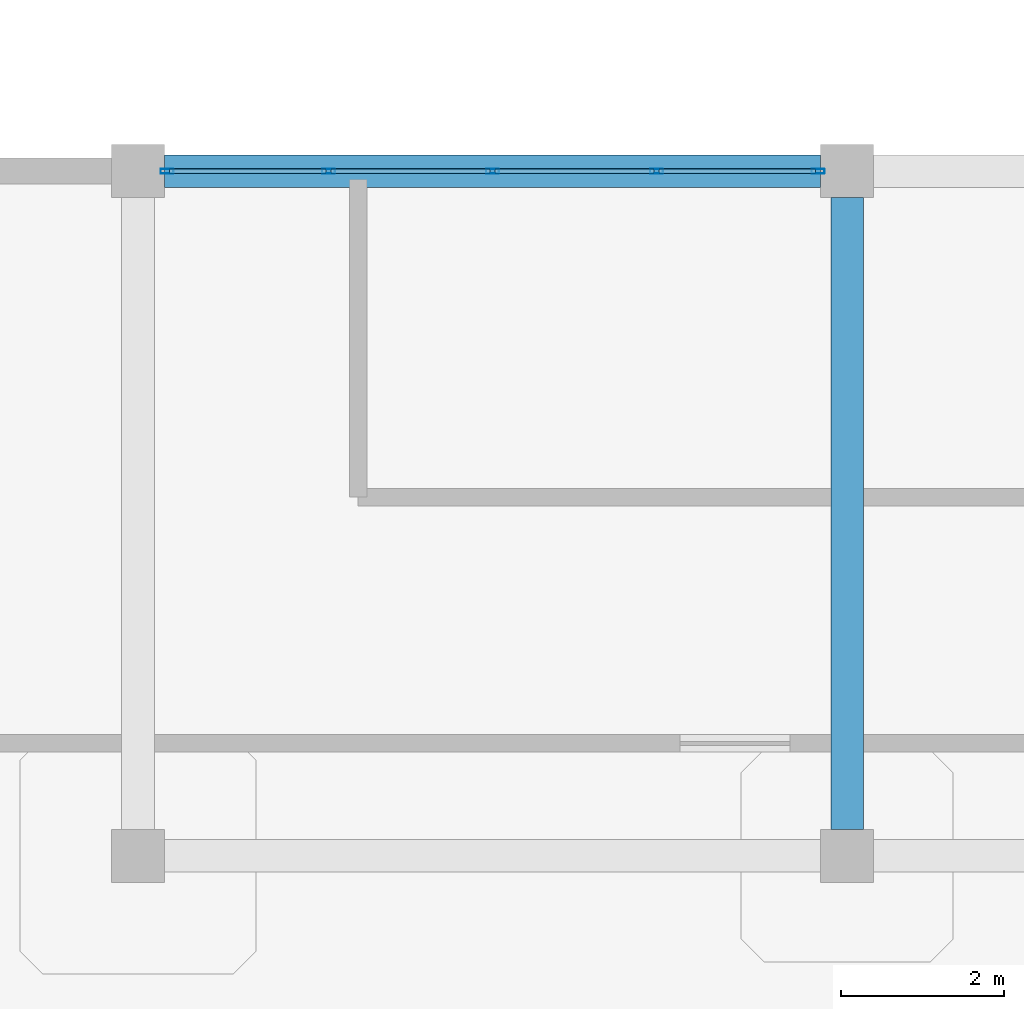
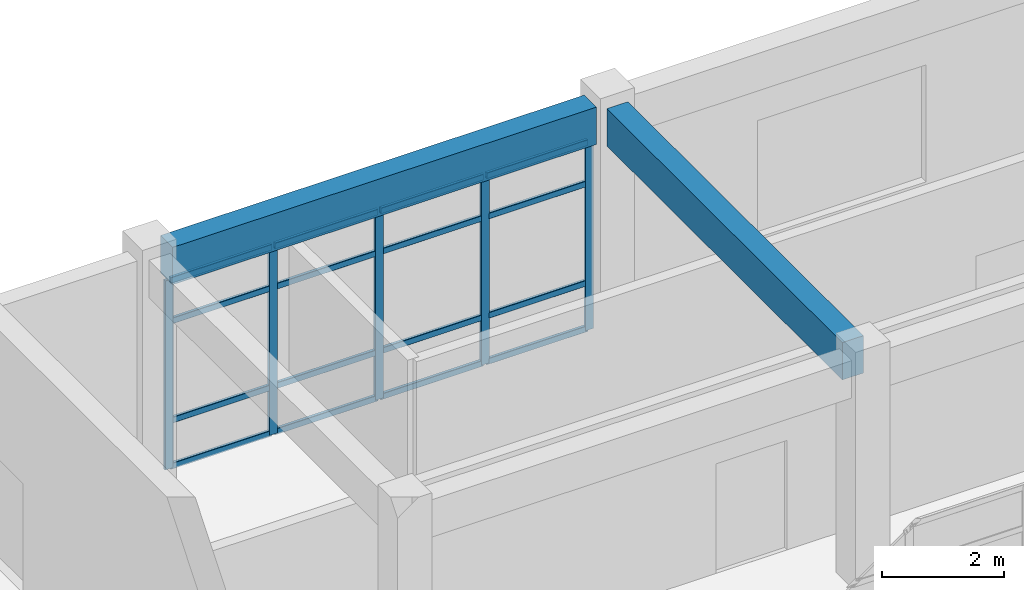
# One storey, part 9 of 41: 21 members, 2 beams, 1 element without a shape of its own.
"""IFC4 building model written with IfcOpenShell, lengths in metres."""

from ifc_helpers import new_model, si_unit, derived_unit, direction, frame, origin, origin_2d, place, context, subcontext, project, spatial, rectangle, hollow_rectangle, extrude, material, layer, layer_set, material_profile, profile_set, type_object, element, aggregate, save


model = new_model("IFC4")

# Units and contexts
model_context = context("Model", 3, precision=1e-05, world=origin(), true_north=direction((0.0, 1.0)))
body_context = subcontext(model_context, "Body", "Model", "MODEL_VIEW")
ifc_project = project(units=[si_unit("LENGTHUNIT", "METRE"), si_unit("AREAUNIT", "SQUARE_METRE"), si_unit("VOLUMEUNIT", "CUBIC_METRE"), si_unit("PLANEANGLEUNIT", "RADIAN"), si_unit("MASSUNIT", "GRAM", prefix="KILO"), derived_unit("THERMALTRANSMITTANCEUNIT", [(si_unit("MASSUNIT", "GRAM", prefix="KILO"), 1), (si_unit("TIMEUNIT", "SECOND"), -3), (si_unit("THERMODYNAMICTEMPERATUREUNIT", "KELVIN"), -1)])], contexts=[model_context])

# Site, building, storey
site_placement = place(None, origin())
site = spatial("IfcSite", under=ifc_project, at=site_placement, CompositionType="ELEMENT")
building_placement = place(site_placement, origin())
building = spatial("IfcBuilding", under=site, at=building_placement, Name="Qinzheling Arcade Emporium", CompositionType="ELEMENT")
storey_placement = place(building_placement, frame((0.0, 0.0, 36.300048828125)))
storey = spatial("IfcBuildingStorey", under=building, at=storey_placement, Name="L08", CompositionType="ELEMENT", Elevation=36.300048828125)

# Curtain wall, members
ifc_material_1 = material(Name="Anodised aluminium and solar-control double glazing", Category="aluminium")
ifc_layer = layer(ifc_material_1, 0.159912109375, Name="Anodised aluminium and solar-control double glazing", Category="aluminium")
ifc_layer_set = layer_set([ifc_layer], Name="Anodised aluminium and solar-control double glazing")
curtain_wall_type = type_object("IfcCurtainWallType", Name="Atrium Clerestory Curtain Wall", PredefinedType="NOTDEFINED", material=ifc_layer_set)
curtain_wall_placement = place(storey_placement, origin())
curtain_wall = element("IfcCurtainWall", 1, at=curtain_wall_placement, inside=storey, type_object=curtain_wall_type, Name="Curtain Wall CW-L08-462", PredefinedType="NOTDEFINED")
ifc_material_2 = material(Name="Anodised aluminium 6063-T6", Category="aluminium")
ifc_material_profile_1 = material_profile(ifc_material_2, hollow_rectangle(XDim=0.06005859375, YDim=0.159912109375, WallThickness=0.00390625, InnerFilletRadius=0.00390625, OuterFilletRadius=0.008056640625, at=origin_2d()), Name="RHS 160x60x4", Category="aluminium")
ifc_profile_set_1 = profile_set([ifc_material_profile_1], Name="Anodised aluminium 6063-T6")
member_type_1 = type_object("IfcMemberType", Name="Curtain Wall Mullion RHS160x60", PredefinedType="MULLION", material=ifc_profile_set_1)
member_1_placement = place(storey_placement, frame((9.056884765625, 42.0, 0.0), z_axis=(0.0, 0.0, 1.0), x_axis=(0.0, 1.0, 0.0)))
member_1 = element("IfcMember", 2, at=member_1_placement, type_object=member_type_1, Name="CW03 mullion 1", PredefinedType="MULLION", context=body_context, shape_type="SweptSolid", body=[
    extrude(hollow_rectangle(XDim=0.06005859375, YDim=0.159912109375, WallThickness=0.00390625, InnerFilletRadius=0.00390625, OuterFilletRadius=0.008056640625, at=origin_2d()), origin(), (0.0, 0.0, 1.0), 3.794921875),
])
member_2_placement = place(storey_placement, frame((11.03857421875, 42.0, 0.0), z_axis=(0.0, 0.0, 1.0), x_axis=(0.0, 1.0, 0.0)))
member_2 = element("IfcMember", 3, at=member_2_placement, type_object=member_type_1, Name="CW03 mullion 2", PredefinedType="MULLION", context=body_context, shape_type="SweptSolid", body=[
    extrude(hollow_rectangle(XDim=0.06005859375, YDim=0.159912109375, WallThickness=0.00390625, InnerFilletRadius=0.00390625, OuterFilletRadius=0.008056640625, at=origin_2d()), origin(), (0.0, 0.0, 1.0), 3.794921875),
])
member_3_placement = place(storey_placement, frame((13.050048828125, 42.0, 0.0), z_axis=(0.0, 0.0, 1.0), x_axis=(0.0, 1.0, 0.0)))
member_3 = element("IfcMember", 4, at=member_3_placement, type_object=member_type_1, Name="CW03 mullion 3", PredefinedType="MULLION", context=body_context, shape_type="SweptSolid", body=[
    extrude(hollow_rectangle(XDim=0.06005859375, YDim=0.159912109375, WallThickness=0.00390625, InnerFilletRadius=0.00390625, OuterFilletRadius=0.008056640625, at=origin_2d()), origin(), (0.0, 0.0, 1.0), 3.794921875),
])
member_4_placement = place(storey_placement, frame((15.0615234375, 42.0, 0.0), z_axis=(0.0, 0.0, 1.0), x_axis=(0.0, 1.0, 0.0)))
member_4 = element("IfcMember", 5, at=member_4_placement, type_object=member_type_1, Name="CW03 mullion 4", PredefinedType="MULLION", context=body_context, shape_type="SweptSolid", body=[
    extrude(hollow_rectangle(XDim=0.06005859375, YDim=0.159912109375, WallThickness=0.00390625, InnerFilletRadius=0.00390625, OuterFilletRadius=0.008056640625, at=origin_2d()), origin(), (0.0, 0.0, 1.0), 3.794921875),
])
member_5_placement = place(storey_placement, frame((17.04296875, 42.0, 0.0), z_axis=(0.0, 0.0, 1.0), x_axis=(0.0, 1.0, 0.0)))
member_5 = element("IfcMember", 6, at=member_5_placement, type_object=member_type_1, Name="CW03 mullion 5", PredefinedType="MULLION", context=body_context, shape_type="SweptSolid", body=[
    extrude(hollow_rectangle(XDim=0.06005859375, YDim=0.159912109375, WallThickness=0.00390625, InnerFilletRadius=0.00390625, OuterFilletRadius=0.008056640625, at=origin_2d()), origin(), (0.0, 0.0, 1.0), 3.794921875),
])
ifc_material_profile_2 = material_profile(ifc_material_2, hollow_rectangle(XDim=0.06005859375, YDim=0.1201171875, WallThickness=0.00390625, InnerFilletRadius=0.00390625, OuterFilletRadius=0.008056640625, at=origin_2d()), Name="RHS 120x60x4", Category="aluminium")
ifc_profile_set_2 = profile_set([ifc_material_profile_2], Name="Anodised aluminium 6063-T6")
member_type_2 = type_object("IfcMemberType", Name="Curtain Wall Transom RHS120x60", PredefinedType="USERDEFINED", material=ifc_profile_set_2)
member_6_placement = place(storey_placement, frame((9.0869140625, 42.0, 0.030029296875), z_axis=(1.0, 0.0, 0.0), x_axis=(0.0, 1.0, 0.0)))
member_6 = element("IfcMember", 7, at=member_6_placement, type_object=member_type_2, Name="CW03 transom 1.1", ObjectType="TRANSOM", PredefinedType="USERDEFINED", context=body_context, shape_type="SweptSolid", body=[
    extrude(hollow_rectangle(XDim=0.06005859375, YDim=0.1201171875, WallThickness=0.00390625, InnerFilletRadius=0.00390625, OuterFilletRadius=0.008056640625, at=origin_2d()), origin(), (0.0, 0.0, 1.0), 1.921630859375),
])
member_7_placement = place(storey_placement, frame((9.0869140625, 42.0, 0.949951171875), z_axis=(1.0, 0.0, 0.0), x_axis=(0.0, 1.0, 0.0)))
member_7 = element("IfcMember", 8, at=member_7_placement, type_object=member_type_2, Name="CW03 transom 1.2", ObjectType="TRANSOM", PredefinedType="USERDEFINED", context=body_context, shape_type="SweptSolid", body=[
    extrude(hollow_rectangle(XDim=0.06005859375, YDim=0.1201171875, WallThickness=0.00390625, InnerFilletRadius=0.00390625, OuterFilletRadius=0.008056640625, at=origin_2d()), origin(), (0.0, 0.0, 1.0), 1.921630859375),
])
member_8_placement = place(storey_placement, frame((9.0869140625, 42.0, 2.945068359375), z_axis=(1.0, 0.0, 0.0), x_axis=(0.0, 1.0, 0.0)))
member_8 = element("IfcMember", 9, at=member_8_placement, type_object=member_type_2, Name="CW03 transom 1.3", ObjectType="TRANSOM", PredefinedType="USERDEFINED", context=body_context, shape_type="SweptSolid", body=[
    extrude(hollow_rectangle(XDim=0.06005859375, YDim=0.1201171875, WallThickness=0.00390625, InnerFilletRadius=0.00390625, OuterFilletRadius=0.008056640625, at=origin_2d()), origin(), (0.0, 0.0, 1.0), 1.921630859375),
])
member_9_placement = place(storey_placement, frame((9.0869140625, 42.0, 3.764892578125), z_axis=(1.0, 0.0, 0.0), x_axis=(0.0, 1.0, 0.0)))
member_9 = element("IfcMember", 10, at=member_9_placement, type_object=member_type_2, Name="CW03 transom 1.4", ObjectType="TRANSOM", PredefinedType="USERDEFINED", context=body_context, shape_type="SweptSolid", body=[
    extrude(hollow_rectangle(XDim=0.06005859375, YDim=0.1201171875, WallThickness=0.00390625, InnerFilletRadius=0.00390625, OuterFilletRadius=0.008056640625, at=origin_2d()), origin(), (0.0, 0.0, 1.0), 1.921630859375),
])
member_10_placement = place(storey_placement, frame((11.068603515625, 42.0, 0.030029296875), z_axis=(1.0, 0.0, 0.0), x_axis=(0.0, 1.0, 0.0)))
member_10 = element("IfcMember", 11, at=member_10_placement, type_object=member_type_2, Name="CW03 transom 2.1", ObjectType="TRANSOM", PredefinedType="USERDEFINED", context=body_context, shape_type="SweptSolid", body=[
    extrude(hollow_rectangle(XDim=0.06005859375, YDim=0.1201171875, WallThickness=0.00390625, InnerFilletRadius=0.00390625, OuterFilletRadius=0.008056640625, at=origin_2d()), origin(), (0.0, 0.0, 1.0), 1.951416015625),
])
member_11_placement = place(storey_placement, frame((11.068603515625, 42.0, 0.949951171875), z_axis=(1.0, 0.0, 0.0), x_axis=(0.0, 1.0, 0.0)))
member_11 = element("IfcMember", 12, at=member_11_placement, type_object=member_type_2, Name="CW03 transom 2.2", ObjectType="TRANSOM", PredefinedType="USERDEFINED", context=body_context, shape_type="SweptSolid", body=[
    extrude(hollow_rectangle(XDim=0.06005859375, YDim=0.1201171875, WallThickness=0.00390625, InnerFilletRadius=0.00390625, OuterFilletRadius=0.008056640625, at=origin_2d()), origin(), (0.0, 0.0, 1.0), 1.951416015625),
])
member_12_placement = place(storey_placement, frame((11.068603515625, 42.0, 2.945068359375), z_axis=(1.0, 0.0, 0.0), x_axis=(0.0, 1.0, 0.0)))
member_12 = element("IfcMember", 13, at=member_12_placement, type_object=member_type_2, Name="CW03 transom 2.3", ObjectType="TRANSOM", PredefinedType="USERDEFINED", context=body_context, shape_type="SweptSolid", body=[
    extrude(hollow_rectangle(XDim=0.06005859375, YDim=0.1201171875, WallThickness=0.00390625, InnerFilletRadius=0.00390625, OuterFilletRadius=0.008056640625, at=origin_2d()), origin(), (0.0, 0.0, 1.0), 1.951416015625),
])
member_13_placement = place(storey_placement, frame((11.068603515625, 42.0, 3.764892578125), z_axis=(1.0, 0.0, 0.0), x_axis=(0.0, 1.0, 0.0)))
member_13 = element("IfcMember", 14, at=member_13_placement, type_object=member_type_2, Name="CW03 transom 2.4", ObjectType="TRANSOM", PredefinedType="USERDEFINED", context=body_context, shape_type="SweptSolid", body=[
    extrude(hollow_rectangle(XDim=0.06005859375, YDim=0.1201171875, WallThickness=0.00390625, InnerFilletRadius=0.00390625, OuterFilletRadius=0.008056640625, at=origin_2d()), origin(), (0.0, 0.0, 1.0), 1.951416015625),
])
member_14_placement = place(storey_placement, frame((13.080078125, 42.0, 0.030029296875), z_axis=(1.0, 0.0, 0.0), x_axis=(0.0, 1.0, 0.0)))
member_14 = element("IfcMember", 15, at=member_14_placement, type_object=member_type_2, Name="CW03 transom 3.1", ObjectType="TRANSOM", PredefinedType="USERDEFINED", context=body_context, shape_type="SweptSolid", body=[
    extrude(hollow_rectangle(XDim=0.06005859375, YDim=0.1201171875, WallThickness=0.00390625, InnerFilletRadius=0.00390625, OuterFilletRadius=0.008056640625, at=origin_2d()), origin(), (0.0, 0.0, 1.0), 1.951416015625),
])
member_15_placement = place(storey_placement, frame((13.080078125, 42.0, 0.949951171875), z_axis=(1.0, 0.0, 0.0), x_axis=(0.0, 1.0, 0.0)))
member_15 = element("IfcMember", 16, at=member_15_placement, type_object=member_type_2, Name="CW03 transom 3.2", ObjectType="TRANSOM", PredefinedType="USERDEFINED", context=body_context, shape_type="SweptSolid", body=[
    extrude(hollow_rectangle(XDim=0.06005859375, YDim=0.1201171875, WallThickness=0.00390625, InnerFilletRadius=0.00390625, OuterFilletRadius=0.008056640625, at=origin_2d()), origin(), (0.0, 0.0, 1.0), 1.951416015625),
])
member_16_placement = place(storey_placement, frame((13.080078125, 42.0, 2.945068359375), z_axis=(1.0, 0.0, 0.0), x_axis=(0.0, 1.0, 0.0)))
member_16 = element("IfcMember", 17, at=member_16_placement, type_object=member_type_2, Name="CW03 transom 3.3", ObjectType="TRANSOM", PredefinedType="USERDEFINED", context=body_context, shape_type="SweptSolid", body=[
    extrude(hollow_rectangle(XDim=0.06005859375, YDim=0.1201171875, WallThickness=0.00390625, InnerFilletRadius=0.00390625, OuterFilletRadius=0.008056640625, at=origin_2d()), origin(), (0.0, 0.0, 1.0), 1.951416015625),
])
member_17_placement = place(storey_placement, frame((13.080078125, 42.0, 3.764892578125), z_axis=(1.0, 0.0, 0.0), x_axis=(0.0, 1.0, 0.0)))
member_17 = element("IfcMember", 18, at=member_17_placement, type_object=member_type_2, Name="CW03 transom 3.4", ObjectType="TRANSOM", PredefinedType="USERDEFINED", context=body_context, shape_type="SweptSolid", body=[
    extrude(hollow_rectangle(XDim=0.06005859375, YDim=0.1201171875, WallThickness=0.00390625, InnerFilletRadius=0.00390625, OuterFilletRadius=0.008056640625, at=origin_2d()), origin(), (0.0, 0.0, 1.0), 1.951416015625),
])
member_18_placement = place(storey_placement, frame((15.091552734375, 42.0, 0.030029296875), z_axis=(1.0, 0.0, 0.0), x_axis=(0.0, 1.0, 0.0)))
member_18 = element("IfcMember", 19, at=member_18_placement, type_object=member_type_2, Name="CW03 transom 4.1", ObjectType="TRANSOM", PredefinedType="USERDEFINED", context=body_context, shape_type="SweptSolid", body=[
    extrude(hollow_rectangle(XDim=0.06005859375, YDim=0.1201171875, WallThickness=0.00390625, InnerFilletRadius=0.00390625, OuterFilletRadius=0.008056640625, at=origin_2d()), origin(), (0.0, 0.0, 1.0), 1.92138671875),
])
member_19_placement = place(storey_placement, frame((15.091552734375, 42.0, 0.949951171875), z_axis=(1.0, 0.0, 0.0), x_axis=(0.0, 1.0, 0.0)))
member_19 = element("IfcMember", 20, at=member_19_placement, type_object=member_type_2, Name="CW03 transom 4.2", ObjectType="TRANSOM", PredefinedType="USERDEFINED", context=body_context, shape_type="SweptSolid", body=[
    extrude(hollow_rectangle(XDim=0.06005859375, YDim=0.1201171875, WallThickness=0.00390625, InnerFilletRadius=0.00390625, OuterFilletRadius=0.008056640625, at=origin_2d()), origin(), (0.0, 0.0, 1.0), 1.92138671875),
])
member_20_placement = place(storey_placement, frame((15.091552734375, 42.0, 2.945068359375), z_axis=(1.0, 0.0, 0.0), x_axis=(0.0, 1.0, 0.0)))
member_20 = element("IfcMember", 21, at=member_20_placement, type_object=member_type_2, Name="CW03 transom 4.3", ObjectType="TRANSOM", PredefinedType="USERDEFINED", context=body_context, shape_type="SweptSolid", body=[
    extrude(hollow_rectangle(XDim=0.06005859375, YDim=0.1201171875, WallThickness=0.00390625, InnerFilletRadius=0.00390625, OuterFilletRadius=0.008056640625, at=origin_2d()), origin(), (0.0, 0.0, 1.0), 1.92138671875),
])
member_21_placement = place(storey_placement, frame((15.091552734375, 42.0, 3.764892578125), z_axis=(1.0, 0.0, 0.0), x_axis=(0.0, 1.0, 0.0)))
member_21 = element("IfcMember", 22, at=member_21_placement, type_object=member_type_2, Name="CW03 transom 4.4", ObjectType="TRANSOM", PredefinedType="USERDEFINED", context=body_context, shape_type="SweptSolid", body=[
    extrude(hollow_rectangle(XDim=0.06005859375, YDim=0.1201171875, WallThickness=0.00390625, InnerFilletRadius=0.00390625, OuterFilletRadius=0.008056640625, at=origin_2d()), origin(), (0.0, 0.0, 1.0), 1.92138671875),
])
aggregate(curtain_wall, [member_1, member_2, member_3, member_4, member_5, member_6, member_7, member_8, member_9, member_10, member_11, member_12, member_13, member_14, member_15, member_16, member_17, member_18, member_19, member_20, member_21])

# Beams
ifc_material_3 = material(Name="Concrete C40", Category="concrete")
ifc_material_profile_3 = material_profile(ifc_material_3, rectangle(XDim=0.39990234375, YDim=0.75, at=origin_2d()), Name="RC 400x750", Category="concrete")
ifc_profile_set_3 = profile_set([ifc_material_profile_3], Name="Concrete C40")
beam_type = type_object("IfcBeamType", Name="RC Interior Tie Beam 400x750 C40", PredefinedType="BEAM", material=ifc_profile_set_3)
beam_1_placement = place(storey_placement, frame((9.02490234375, 42.0, 4.18505859375), z_axis=(1.0, 0.0, 0.0), x_axis=(0.0, 1.0, 0.0)))
element("IfcBeam", 23, at=beam_1_placement, inside=storey, type_object=beam_type, Name="Beam BM-L08-X-F-2", PredefinedType="BEAM", context=body_context, shape_type="SweptSolid", body=[
    extrude(rectangle(XDim=0.39990234375, YDim=0.75, at=origin_2d()), origin(), (0.0, 0.0, 1.0), 8.050048828125),
])
beam_2_placement = place(storey_placement, frame((17.39990234375, 33.925048828125, 4.18505859375), z_axis=(0.0, 1.0, 0.0), x_axis=(-1.0, 0.0, 0.0)))
element("IfcBeam", 24, at=beam_2_placement, inside=storey, type_object=beam_type, Name="Beam BM-L08-Y-3-E", PredefinedType="BEAM", context=body_context, shape_type="SweptSolid", body=[
    extrude(rectangle(XDim=0.39990234375, YDim=0.75, at=origin_2d()), origin(), (0.0, 0.0, 1.0), 7.75),
])

save(model, "model.ifc")
